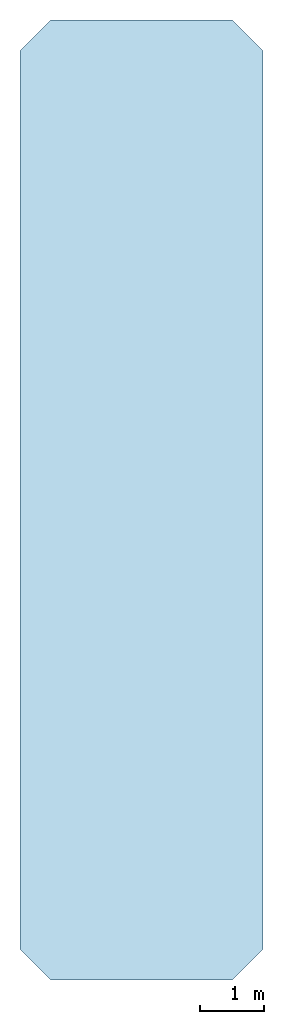
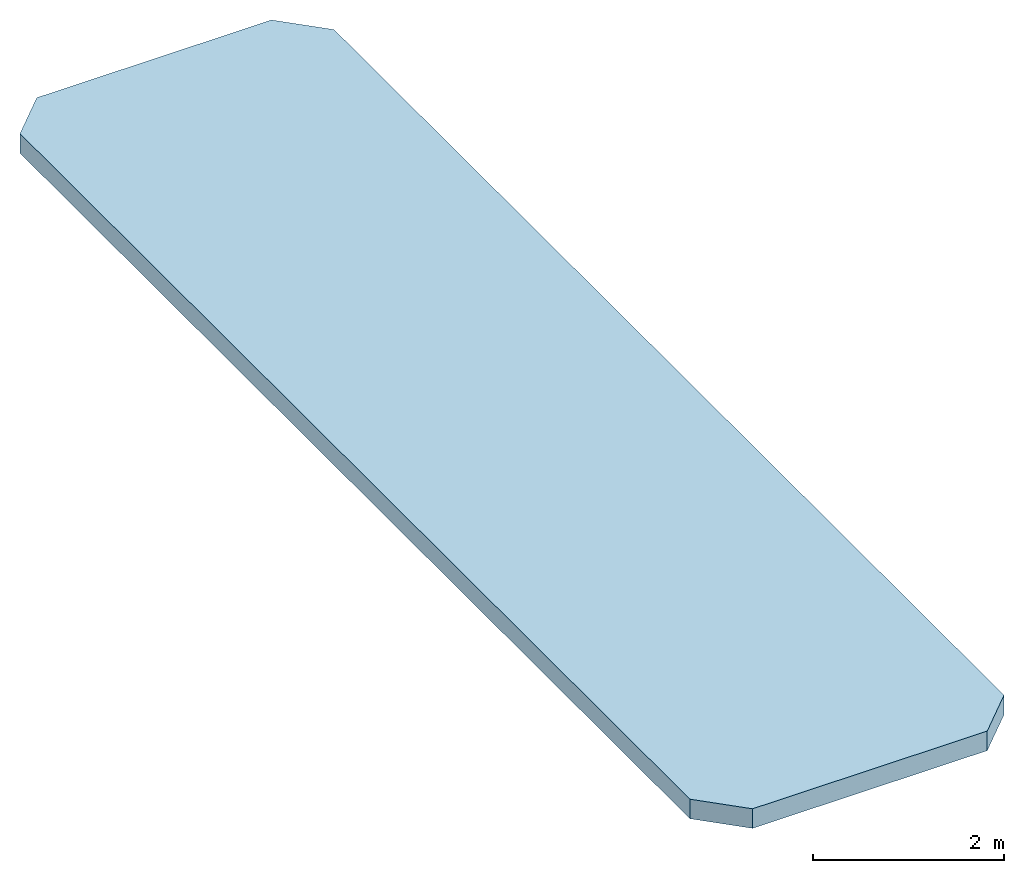
# One storey: 1 slab.
"""IFC4 building model written with IfcOpenShell, lengths in metres."""

from ifc_helpers import new_model, si_unit, direction, frame, origin, place, context, subcontext, project, spatial, polyline, outline, extrude, material, layer, layer_set, type_object, element, save


model = new_model("IFC4")

# Units and contexts
model_context = context("Model", 3, precision=1e-05, world=origin(), true_north=direction((0.0, 1.0)))
body_context = subcontext(model_context, "Body", "Model", "MODEL_VIEW")
ifc_project = project(units=[si_unit("LENGTHUNIT", "METRE"), si_unit("AREAUNIT", "SQUARE_METRE"), si_unit("VOLUMEUNIT", "CUBIC_METRE"), si_unit("PLANEANGLEUNIT", "RADIAN"), si_unit("MASSUNIT", "GRAM", prefix="KILO")], contexts=[model_context])

# Site, building, storey
site_placement = place(None, origin())
site = spatial("IfcSite", under=ifc_project, at=site_placement, CompositionType="ELEMENT")
building_placement = place(site_placement, origin())
building = spatial("IfcBuilding", under=site, at=building_placement, Name="Birchvale Park Specialist Clinic", CompositionType="ELEMENT")
storey_placement = place(building_placement, frame((0.0, 0.0, 30.800048828125)))
storey = spatial("IfcBuildingStorey", under=building, at=storey_placement, Name="RF", CompositionType="ELEMENT", Elevation=30.800048828125)

# Slab
ifc_material = material(Name="Concrete C35/45", Category="concrete")
ifc_layer = layer(ifc_material, 0.25)
ifc_layer_set = layer_set([ifc_layer], Name="Concrete C35/45")
slab_type = type_object("IfcSlabType", Name="SLB-RS5", PredefinedType="ROOF", material=ifc_layer_set)
slab_placement = place(storey_placement, frame((0.0, 0.0, -1.25)))
element("IfcSlab", 1, at=slab_placement, inside=storey, type_object=slab_type, Name="V2 L06 lift overrun cap roof", PredefinedType="ROOF", context=body_context, shape_type="SweptSolid", body=[
    extrude(outline(polyline([(14.080078125, 19.0), (16.919921875, 19.0), (17.39990234375, 19.47998046875), (17.39990234375, 33.52001953125), (16.919921875, 34.0), (14.080078125, 34.0), (13.60009765625, 33.52001953125), (13.60009765625, 19.47998046875), (14.080078125, 19.0)])), origin(), (0.0, 0.0, 1.0), 0.25),
])

save(model, "model.ifc")
